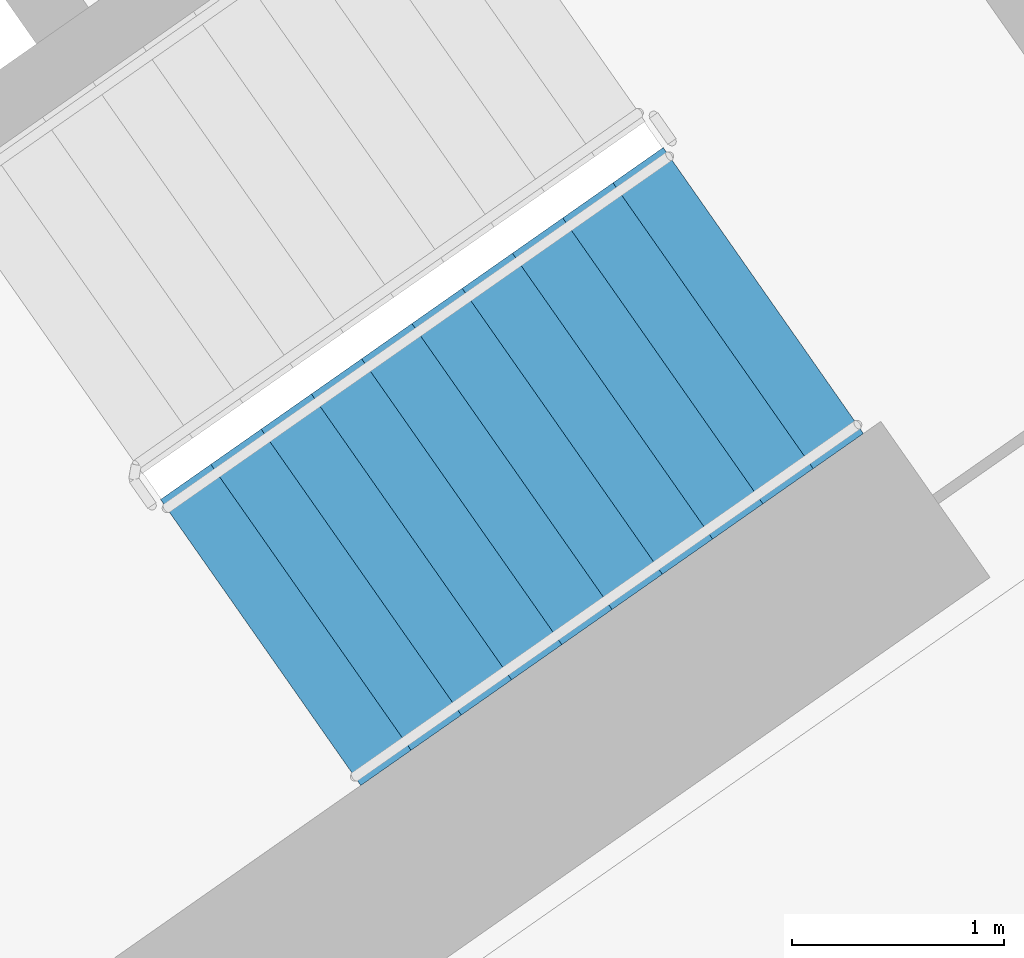
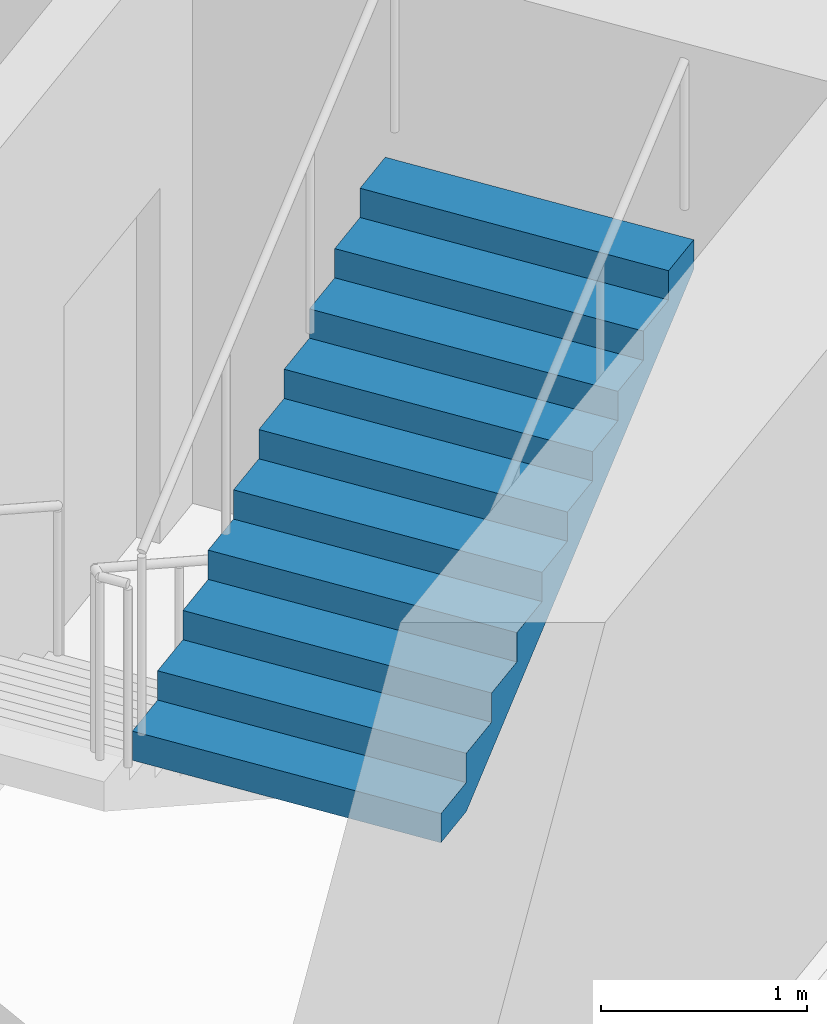
# One storey, part 16 of 33: 1 stair flight, 1 element without a shape of its own.
"""IFC4 building model written with IfcOpenShell, lengths in metres."""

from ifc_helpers import new_model, si_unit, direction, frame, origin, place, context, subcontext, project, spatial, faceted_brep, material, type_object, element, aggregate, save


model = new_model("IFC4")

# Units and contexts
model_context = context("Model", 3, precision=1e-05, world=origin(), true_north=direction((0.0, 1.0)))
body_context = subcontext(model_context, "Body", "Model", "MODEL_VIEW")
ifc_project = project(units=[si_unit("LENGTHUNIT", "METRE"), si_unit("AREAUNIT", "SQUARE_METRE"), si_unit("VOLUMEUNIT", "CUBIC_METRE"), si_unit("PLANEANGLEUNIT", "RADIAN"), si_unit("MASSUNIT", "GRAM", prefix="KILO")], contexts=[model_context])

# Site, building, storey
site_placement = place(None, origin())
site = spatial("IfcSite", under=ifc_project, at=site_placement, CompositionType="ELEMENT")
building_placement = place(site_placement, origin())
building = spatial("IfcBuilding", under=site, at=building_placement, Name="Qamariyya Broadcast Tower", CompositionType="ELEMENT")
storey_placement = place(building_placement, frame((0.0, 0.0, 94.89990234375)))
storey = spatial("IfcBuildingStorey", under=building, at=storey_placement, Name="L20", CompositionType="ELEMENT", Elevation=94.89990234375)

# Stair, stair flight
ifc_material = material(Name="Concrete C50/60", Category="concrete")
stair_type = type_object("IfcStairType", Name="Exit stair 22 risers of 173 mm", PredefinedType="HALF_TURN_STAIR", material=ifc_material)
stair_placement = place(storey_placement, origin())
stair = element("IfcStair", 1, at=stair_placement, inside=storey, type_object=stair_type, Name="L20 Stair E1", PredefinedType="HALF_TURN_STAIR")
stair_flight_type = type_object("IfcStairFlightType", Name="Exit stair flight 11 risers of 173 mm", PredefinedType="STRAIGHT", material=ifc_material)
stair_flight_placement = place(storey_placement, frame((44.693359375, -58.64599609375, 1.900146484375), z_axis=(0.0, 0.0, 1.0), x_axis=(0.819152044289, 0.573576436351, 0.0)))
stair_flight = element("IfcStairFlight", 2, at=stair_flight_placement, type_object=stair_flight_type, Name="ST-E1 flight 2", NumberOfRisers=11, NumberOfTreads=10, PredefinedType="STRAIGHT", RiserHeight=0.172727273, TreadLength=0.29, context=body_context, shape_type="Brep", body=[
    faceted_brep([(0.0, 0.824951171875, 0.0), (0.0, 0.824951171875, 0.172607421875), (0.2900390625, 0.824951171875, 0.172607421875), (0.2900390625, 0.824951171875, 0.345458984375), (0.580078125, 0.824951171875, 0.345458984375), (0.580078125, 0.824951171875, 0.51806640625), (0.8701171875, 0.824951171875, 0.51806640625), (0.8701171875, 0.824951171875, 0.69091796875), (1.159912109375, 0.824951171875, 0.69091796875), (1.159912109375, 0.824951171875, 0.863525390625), (1.449951171875, 0.824951171875, 0.863525390625), (1.449951171875, 0.824951171875, 1.036376953125), (1.739990234375, 0.824951171875, 1.036376953125), (1.739990234375, 0.824951171875, 1.208984375), (2.030029296875, 0.824951171875, 1.208984375), (2.030029296875, 0.824951171875, 1.3818359375), (2.320068359375, 0.824951171875, 1.3818359375), (2.320068359375, 0.824951171875, 1.554443359375), (2.610107421875, 0.824951171875, 1.554443359375), (2.610107421875, 0.824951171875, 1.727294921875), (2.89990234375, 0.824951171875, 1.727294921875), (2.89990234375, 0.824951171875, 1.552734375), (0.29296875, 0.824951171875, 0.0), (0.29296875, -0.824951171875, 0.0), (2.89990234375, -0.824951171875, 1.552734375), (2.89990234375, -0.824951171875, 1.727294921875), (2.610107421875, -0.824951171875, 1.727294921875), (2.610107421875, -0.824951171875, 1.554443359375), (2.320068359375, -0.824951171875, 1.554443359375), (2.320068359375, -0.824951171875, 1.3818359375), (2.030029296875, -0.824951171875, 1.3818359375), (2.030029296875, -0.824951171875, 1.208984375), (1.739990234375, -0.824951171875, 1.208984375), (1.739990234375, -0.824951171875, 1.036376953125), (1.449951171875, -0.824951171875, 1.036376953125), (1.449951171875, -0.824951171875, 0.863525390625), (1.159912109375, -0.824951171875, 0.863525390625), (1.159912109375, -0.824951171875, 0.69091796875), (0.8701171875, -0.824951171875, 0.69091796875), (0.8701171875, -0.824951171875, 0.51806640625), (0.580078125, -0.824951171875, 0.51806640625), (0.580078125, -0.824951171875, 0.345458984375), (0.2900390625, -0.824951171875, 0.345458984375), (0.2900390625, -0.824951171875, 0.172607421875), (0.0, -0.824951171875, 0.172607421875), (0.0, -0.824951171875, 0.0), (0.0, 0.10009765625, 0.0), (0.0, 0.086669921875, 0.0), (0.0, 0.0732421875, 0.0), (0.0, 0.06005859375, 0.0), (0.0, 0.046630859375, 0.0), (0.0, 0.033447265625, 0.0), (0.0, 0.02001953125, 0.0), (0.0, 0.006591796875, 0.0), (0.0, -0.006591796875, 0.0), (0.0, -0.02001953125, 0.0), (0.0, -0.033447265625, 0.0), (0.0, -0.046630859375, 0.0), (0.0, -0.06005859375, 0.0), (0.0, -0.0732421875, 0.0), (0.0, -0.086669921875, 0.0), (0.0, -0.10009765625, 0.0), (0.0, -0.10009765625, 0.172607421875), (0.0, -0.086669921875, 0.172607421875), (0.0, -0.0732421875, 0.172607421875), (0.0, -0.06005859375, 0.172607421875), (0.0, -0.046630859375, 0.172607421875), (0.0, -0.033447265625, 0.172607421875), (0.0, -0.02001953125, 0.172607421875), (0.0, -0.006591796875, 0.172607421875), (0.0, 0.006591796875, 0.172607421875), (0.0, 0.02001953125, 0.172607421875), (0.0, 0.033447265625, 0.172607421875), (0.0, 0.046630859375, 0.172607421875), (0.0, 0.06005859375, 0.172607421875), (0.0, 0.0732421875, 0.172607421875), (0.0, 0.086669921875, 0.172607421875), (0.0, 0.10009765625, 0.172607421875), (0.2900390625, -0.10009765625, 0.172607421875), (0.2900390625, -0.086669921875, 0.172607421875), (0.2900390625, -0.0732421875, 0.172607421875), (0.2900390625, -0.06005859375, 0.172607421875), (0.2900390625, -0.046630859375, 0.172607421875), (0.2900390625, -0.033447265625, 0.172607421875), (0.2900390625, -0.02001953125, 0.172607421875), (0.2900390625, -0.006591796875, 0.172607421875), (0.2900390625, 0.006591796875, 0.172607421875), (0.2900390625, 0.02001953125, 0.172607421875), (0.2900390625, 0.033447265625, 0.172607421875), (0.2900390625, 0.046630859375, 0.172607421875), (0.2900390625, 0.06005859375, 0.172607421875), (0.2900390625, 0.0732421875, 0.172607421875), (0.2900390625, 0.086669921875, 0.172607421875), (0.2900390625, 0.10009765625, 0.172607421875), (0.2900390625, -0.10009765625, 0.345458984375), (0.2900390625, -0.086669921875, 0.345458984375), (0.2900390625, -0.0732421875, 0.345458984375), (0.2900390625, -0.06005859375, 0.345458984375), (0.2900390625, -0.046630859375, 0.345458984375), (0.2900390625, -0.033447265625, 0.345458984375), (0.2900390625, -0.02001953125, 0.345458984375), (0.2900390625, -0.006591796875, 0.345458984375), (0.2900390625, 0.006591796875, 0.345458984375), (0.2900390625, 0.02001953125, 0.345458984375), (0.2900390625, 0.033447265625, 0.345458984375), (0.2900390625, 0.046630859375, 0.345458984375), (0.2900390625, 0.06005859375, 0.345458984375), (0.2900390625, 0.0732421875, 0.345458984375), (0.2900390625, 0.086669921875, 0.345458984375), (0.2900390625, 0.10009765625, 0.345458984375), (0.580078125, -0.10009765625, 0.345458984375), (0.580078125, -0.086669921875, 0.345458984375), (0.580078125, -0.0732421875, 0.345458984375), (0.580078125, -0.06005859375, 0.345458984375), (0.580078125, -0.046630859375, 0.345458984375), (0.580078125, -0.033447265625, 0.345458984375), (0.580078125, -0.02001953125, 0.345458984375), (0.580078125, -0.006591796875, 0.345458984375), (0.580078125, 0.006591796875, 0.345458984375), (0.580078125, 0.02001953125, 0.345458984375), (0.580078125, 0.033447265625, 0.345458984375), (0.580078125, 0.046630859375, 0.345458984375), (0.580078125, 0.06005859375, 0.345458984375), (0.580078125, 0.0732421875, 0.345458984375), (0.580078125, 0.086669921875, 0.345458984375), (0.580078125, 0.10009765625, 0.345458984375), (0.580078125, -0.10009765625, 0.51806640625), (0.580078125, -0.086669921875, 0.51806640625), (0.580078125, -0.0732421875, 0.51806640625), (0.580078125, -0.06005859375, 0.51806640625), (0.580078125, -0.046630859375, 0.51806640625), (0.580078125, -0.033447265625, 0.51806640625), (0.580078125, -0.02001953125, 0.51806640625), (0.580078125, -0.006591796875, 0.51806640625), (0.580078125, 0.006591796875, 0.51806640625), (0.580078125, 0.02001953125, 0.51806640625), (0.580078125, 0.033447265625, 0.51806640625), (0.580078125, 0.046630859375, 0.51806640625), (0.580078125, 0.06005859375, 0.51806640625), (0.580078125, 0.0732421875, 0.51806640625), (0.580078125, 0.086669921875, 0.51806640625), (0.580078125, 0.10009765625, 0.51806640625), (0.8701171875, -0.10009765625, 0.51806640625), (0.8701171875, -0.086669921875, 0.51806640625), (0.8701171875, -0.0732421875, 0.51806640625), (0.8701171875, -0.06005859375, 0.51806640625), (0.8701171875, -0.046630859375, 0.51806640625), (0.8701171875, -0.033447265625, 0.51806640625), (0.8701171875, -0.02001953125, 0.51806640625), (0.8701171875, -0.006591796875, 0.51806640625), (0.8701171875, 0.006591796875, 0.51806640625), (0.8701171875, 0.02001953125, 0.51806640625), (0.8701171875, 0.033447265625, 0.51806640625), (0.8701171875, 0.046630859375, 0.51806640625), (0.8701171875, 0.06005859375, 0.51806640625), (0.8701171875, 0.0732421875, 0.51806640625), (0.8701171875, 0.086669921875, 0.51806640625), (0.8701171875, 0.10009765625, 0.51806640625), (0.8701171875, -0.10009765625, 0.69091796875), (0.8701171875, -0.086669921875, 0.69091796875), (0.8701171875, -0.0732421875, 0.69091796875), (0.8701171875, -0.06005859375, 0.69091796875), (0.8701171875, -0.046630859375, 0.69091796875), (0.8701171875, -0.033447265625, 0.69091796875), (0.8701171875, -0.02001953125, 0.69091796875), (0.8701171875, -0.006591796875, 0.69091796875), (0.8701171875, 0.006591796875, 0.69091796875), (0.8701171875, 0.02001953125, 0.69091796875), (0.8701171875, 0.033447265625, 0.69091796875), (0.8701171875, 0.046630859375, 0.69091796875), (0.8701171875, 0.06005859375, 0.69091796875), (0.8701171875, 0.0732421875, 0.69091796875), (0.8701171875, 0.086669921875, 0.69091796875), (0.8701171875, 0.10009765625, 0.69091796875), (1.159912109375, -0.10009765625, 0.69091796875), (1.159912109375, -0.086669921875, 0.69091796875), (1.159912109375, -0.0732421875, 0.69091796875), (1.159912109375, -0.06005859375, 0.69091796875), (1.159912109375, -0.046630859375, 0.69091796875), (1.159912109375, -0.033447265625, 0.69091796875), (1.159912109375, -0.02001953125, 0.69091796875), (1.159912109375, -0.006591796875, 0.69091796875), (1.159912109375, 0.006591796875, 0.69091796875), (1.159912109375, 0.02001953125, 0.69091796875), (1.159912109375, 0.033447265625, 0.69091796875), (1.159912109375, 0.046630859375, 0.69091796875), (1.159912109375, 0.06005859375, 0.69091796875), (1.159912109375, 0.0732421875, 0.69091796875), (1.159912109375, 0.086669921875, 0.69091796875), (1.159912109375, 0.10009765625, 0.69091796875), (1.159912109375, -0.10009765625, 0.863525390625), (1.159912109375, -0.086669921875, 0.863525390625), (1.159912109375, -0.0732421875, 0.863525390625), (1.159912109375, -0.06005859375, 0.863525390625), (1.159912109375, -0.046630859375, 0.863525390625), (1.159912109375, -0.033447265625, 0.863525390625), (1.159912109375, -0.02001953125, 0.863525390625), (1.159912109375, -0.006591796875, 0.863525390625), (1.159912109375, 0.006591796875, 0.863525390625), (1.159912109375, 0.02001953125, 0.863525390625), (1.159912109375, 0.033447265625, 0.863525390625), (1.159912109375, 0.046630859375, 0.863525390625), (1.159912109375, 0.06005859375, 0.863525390625), (1.159912109375, 0.0732421875, 0.863525390625), (1.159912109375, 0.086669921875, 0.863525390625), (1.159912109375, 0.10009765625, 0.863525390625), (1.449951171875, -0.10009765625, 0.863525390625), (1.449951171875, -0.086669921875, 0.863525390625), (1.449951171875, -0.0732421875, 0.863525390625), (1.449951171875, -0.06005859375, 0.863525390625), (1.449951171875, -0.046630859375, 0.863525390625), (1.449951171875, -0.033447265625, 0.863525390625), (1.449951171875, -0.02001953125, 0.863525390625), (1.449951171875, -0.006591796875, 0.863525390625), (1.449951171875, 0.006591796875, 0.863525390625), (1.449951171875, 0.02001953125, 0.863525390625), (1.449951171875, 0.033447265625, 0.863525390625), (1.449951171875, 0.046630859375, 0.863525390625), (1.449951171875, 0.06005859375, 0.863525390625), (1.449951171875, 0.0732421875, 0.863525390625), (1.449951171875, 0.086669921875, 0.863525390625), (1.449951171875, 0.10009765625, 0.863525390625), (1.449951171875, -0.10009765625, 1.036376953125), (1.449951171875, -0.086669921875, 1.036376953125), (1.449951171875, -0.0732421875, 1.036376953125), (1.449951171875, -0.06005859375, 1.036376953125), (1.449951171875, -0.046630859375, 1.036376953125), (1.449951171875, -0.033447265625, 1.036376953125), (1.449951171875, -0.02001953125, 1.036376953125), (1.449951171875, -0.006591796875, 1.036376953125), (1.449951171875, 0.006591796875, 1.036376953125), (1.449951171875, 0.02001953125, 1.036376953125), (1.449951171875, 0.033447265625, 1.036376953125), (1.449951171875, 0.046630859375, 1.036376953125), (1.449951171875, 0.06005859375, 1.036376953125), (1.449951171875, 0.0732421875, 1.036376953125), (1.449951171875, 0.086669921875, 1.036376953125), (1.449951171875, 0.10009765625, 1.036376953125), (1.739990234375, -0.10009765625, 1.036376953125), (1.739990234375, -0.086669921875, 1.036376953125), (1.739990234375, -0.0732421875, 1.036376953125), (1.739990234375, -0.06005859375, 1.036376953125), (1.739990234375, -0.046630859375, 1.036376953125), (1.739990234375, -0.033447265625, 1.036376953125), (1.739990234375, -0.02001953125, 1.036376953125), (1.739990234375, -0.006591796875, 1.036376953125), (1.739990234375, 0.006591796875, 1.036376953125), (1.739990234375, 0.02001953125, 1.036376953125), (1.739990234375, 0.033447265625, 1.036376953125), (1.739990234375, 0.046630859375, 1.036376953125), (1.739990234375, 0.06005859375, 1.036376953125), (1.739990234375, 0.0732421875, 1.036376953125), (1.739990234375, 0.086669921875, 1.036376953125), (1.739990234375, 0.10009765625, 1.036376953125), (1.739990234375, -0.10009765625, 1.208984375), (1.739990234375, -0.086669921875, 1.208984375), (1.739990234375, -0.0732421875, 1.208984375), (1.739990234375, -0.06005859375, 1.208984375), (1.739990234375, -0.046630859375, 1.208984375), (1.739990234375, -0.033447265625, 1.208984375), (1.739990234375, -0.02001953125, 1.208984375), (1.739990234375, -0.006591796875, 1.208984375), (1.739990234375, 0.006591796875, 1.208984375), (1.739990234375, 0.02001953125, 1.208984375), (1.739990234375, 0.033447265625, 1.208984375), (1.739990234375, 0.046630859375, 1.208984375), (1.739990234375, 0.06005859375, 1.208984375), (1.739990234375, 0.0732421875, 1.208984375), (1.739990234375, 0.086669921875, 1.208984375), (1.739990234375, 0.10009765625, 1.208984375), (2.030029296875, -0.10009765625, 1.208984375), (2.030029296875, -0.086669921875, 1.208984375), (2.030029296875, -0.0732421875, 1.208984375), (2.030029296875, -0.06005859375, 1.208984375), (2.030029296875, -0.046630859375, 1.208984375), (2.030029296875, -0.033447265625, 1.208984375), (2.030029296875, -0.02001953125, 1.208984375), (2.030029296875, -0.006591796875, 1.208984375), (2.030029296875, 0.006591796875, 1.208984375), (2.030029296875, 0.02001953125, 1.208984375), (2.030029296875, 0.033447265625, 1.208984375), (2.030029296875, 0.046630859375, 1.208984375), (2.030029296875, 0.06005859375, 1.208984375), (2.030029296875, 0.0732421875, 1.208984375), (2.030029296875, 0.086669921875, 1.208984375), (2.030029296875, 0.10009765625, 1.208984375), (2.030029296875, -0.10009765625, 1.3818359375), (2.030029296875, -0.086669921875, 1.3818359375), (2.030029296875, -0.0732421875, 1.3818359375), (2.030029296875, -0.06005859375, 1.3818359375), (2.030029296875, -0.046630859375, 1.3818359375), (2.030029296875, -0.033447265625, 1.3818359375), (2.030029296875, -0.02001953125, 1.3818359375), (2.030029296875, -0.006591796875, 1.3818359375), (2.030029296875, 0.006591796875, 1.3818359375), (2.030029296875, 0.02001953125, 1.3818359375), (2.030029296875, 0.033447265625, 1.3818359375), (2.030029296875, 0.046630859375, 1.3818359375), (2.030029296875, 0.06005859375, 1.3818359375), (2.030029296875, 0.0732421875, 1.3818359375), (2.030029296875, 0.086669921875, 1.3818359375), (2.030029296875, 0.10009765625, 1.3818359375), (2.320068359375, -0.10009765625, 1.3818359375), (2.320068359375, -0.086669921875, 1.3818359375), (2.320068359375, -0.0732421875, 1.3818359375), (2.320068359375, -0.06005859375, 1.3818359375), (2.320068359375, -0.046630859375, 1.3818359375), (2.320068359375, -0.033447265625, 1.3818359375), (2.320068359375, -0.02001953125, 1.3818359375), (2.320068359375, -0.006591796875, 1.3818359375), (2.320068359375, 0.006591796875, 1.3818359375), (2.320068359375, 0.02001953125, 1.3818359375), (2.320068359375, 0.033447265625, 1.3818359375), (2.320068359375, 0.046630859375, 1.3818359375), (2.320068359375, 0.06005859375, 1.3818359375), (2.320068359375, 0.0732421875, 1.3818359375), (2.320068359375, 0.086669921875, 1.3818359375), (2.320068359375, 0.10009765625, 1.3818359375), (2.320068359375, -0.10009765625, 1.554443359375), (2.320068359375, -0.086669921875, 1.554443359375), (2.320068359375, -0.0732421875, 1.554443359375), (2.320068359375, -0.06005859375, 1.554443359375), (2.320068359375, -0.046630859375, 1.554443359375), (2.320068359375, -0.033447265625, 1.554443359375), (2.320068359375, -0.02001953125, 1.554443359375), (2.320068359375, -0.006591796875, 1.554443359375), (2.320068359375, 0.006591796875, 1.554443359375), (2.320068359375, 0.02001953125, 1.554443359375), (2.320068359375, 0.033447265625, 1.554443359375), (2.320068359375, 0.046630859375, 1.554443359375), (2.320068359375, 0.06005859375, 1.554443359375), (2.320068359375, 0.0732421875, 1.554443359375), (2.320068359375, 0.086669921875, 1.554443359375), (2.320068359375, 0.10009765625, 1.554443359375), (2.610107421875, -0.10009765625, 1.554443359375), (2.610107421875, -0.086669921875, 1.554443359375), (2.610107421875, -0.0732421875, 1.554443359375), (2.610107421875, -0.06005859375, 1.554443359375), (2.610107421875, -0.046630859375, 1.554443359375), (2.610107421875, -0.033447265625, 1.554443359375), (2.610107421875, -0.02001953125, 1.554443359375), (2.610107421875, -0.006591796875, 1.554443359375), (2.610107421875, 0.006591796875, 1.554443359375), (2.610107421875, 0.02001953125, 1.554443359375), (2.610107421875, 0.033447265625, 1.554443359375), (2.610107421875, 0.046630859375, 1.554443359375), (2.610107421875, 0.06005859375, 1.554443359375), (2.610107421875, 0.0732421875, 1.554443359375), (2.610107421875, 0.086669921875, 1.554443359375), (2.610107421875, 0.10009765625, 1.554443359375), (2.610107421875, -0.10009765625, 1.727294921875), (2.610107421875, -0.086669921875, 1.727294921875), (2.610107421875, -0.0732421875, 1.727294921875), (2.610107421875, -0.06005859375, 1.727294921875), (2.610107421875, -0.046630859375, 1.727294921875), (2.610107421875, -0.033447265625, 1.727294921875), (2.610107421875, -0.02001953125, 1.727294921875), (2.610107421875, -0.006591796875, 1.727294921875), (2.610107421875, 0.006591796875, 1.727294921875), (2.610107421875, 0.02001953125, 1.727294921875), (2.610107421875, 0.033447265625, 1.727294921875), (2.610107421875, 0.046630859375, 1.727294921875), (2.610107421875, 0.06005859375, 1.727294921875), (2.610107421875, 0.0732421875, 1.727294921875), (2.610107421875, 0.086669921875, 1.727294921875), (2.610107421875, 0.10009765625, 1.727294921875), (2.89990234375, -0.10009765625, 1.727294921875), (2.89990234375, -0.086669921875, 1.727294921875), (2.89990234375, -0.0732421875, 1.727294921875), (2.89990234375, -0.06005859375, 1.727294921875), (2.89990234375, -0.046630859375, 1.727294921875), (2.89990234375, -0.033447265625, 1.727294921875), (2.89990234375, -0.02001953125, 1.727294921875), (2.89990234375, -0.006591796875, 1.727294921875), (2.89990234375, 0.006591796875, 1.727294921875), (2.89990234375, 0.02001953125, 1.727294921875), (2.89990234375, 0.033447265625, 1.727294921875), (2.89990234375, 0.046630859375, 1.727294921875), (2.89990234375, 0.06005859375, 1.727294921875), (2.89990234375, 0.0732421875, 1.727294921875), (2.89990234375, 0.086669921875, 1.727294921875), (2.89990234375, 0.10009765625, 1.727294921875), (2.89990234375, -0.10009765625, 1.552734375), (2.89990234375, -0.086669921875, 1.552734375), (2.89990234375, -0.0732421875, 1.552734375), (2.89990234375, -0.06005859375, 1.552734375), (2.89990234375, -0.046630859375, 1.552734375), (2.89990234375, -0.033447265625, 1.552734375), (2.89990234375, -0.02001953125, 1.552734375), (2.89990234375, -0.006591796875, 1.552734375), (2.89990234375, 0.006591796875, 1.552734375), (2.89990234375, 0.02001953125, 1.552734375), (2.89990234375, 0.033447265625, 1.552734375), (2.89990234375, 0.046630859375, 1.552734375), (2.89990234375, 0.06005859375, 1.552734375), (2.89990234375, 0.0732421875, 1.552734375), (2.89990234375, 0.086669921875, 1.552734375), (2.89990234375, 0.10009765625, 1.552734375), (0.29296875, -0.10009765625, 0.0), (0.29296875, -0.086669921875, 0.0), (0.29296875, -0.0732421875, 0.0), (0.29296875, -0.06005859375, 0.0), (0.29296875, -0.046630859375, 0.0), (0.29296875, -0.033447265625, 0.0), (0.29296875, -0.02001953125, 0.0), (0.29296875, -0.006591796875, 0.0), (0.29296875, 0.006591796875, 0.0), (0.29296875, 0.02001953125, 0.0), (0.29296875, 0.033447265625, 0.0), (0.29296875, 0.046630859375, 0.0), (0.29296875, 0.06005859375, 0.0), (0.29296875, 0.0732421875, 0.0), (0.29296875, 0.086669921875, 0.0), (0.29296875, 0.10009765625, 0.0)], [[[0, 1, 2, 3, 4, 5, 6, 7, 8, 9, 10, 11, 12, 13, 14, 15, 16, 17, 18, 19, 20, 21, 22]], [[23, 24, 25, 26, 27, 28, 29, 30, 31, 32, 33, 34, 35, 36, 37, 38, 39, 40, 41, 42, 43, 44, 45]], [[0, 46, 47, 48, 49, 50, 51, 52, 53, 54, 55, 56, 57, 58, 59, 60, 61, 45, 44, 62, 63, 64, 65, 66, 67, 68, 69, 70, 71, 72, 73, 74, 75, 76, 77, 1]], [[1, 77, 76, 75, 74, 73, 72, 71, 70, 69, 68, 67, 66, 65, 64, 63, 62, 44, 43, 78, 79, 80, 81, 82, 83, 84, 85, 86, 87, 88, 89, 90, 91, 92, 93, 2]], [[2, 93, 92, 91, 90, 89, 88, 87, 86, 85, 84, 83, 82, 81, 80, 79, 78, 43, 42, 94, 95, 96, 97, 98, 99, 100, 101, 102, 103, 104, 105, 106, 107, 108, 109, 3]], [[3, 109, 108, 107, 106, 105, 104, 103, 102, 101, 100, 99, 98, 97, 96, 95, 94, 42, 41, 110, 111, 112, 113, 114, 115, 116, 117, 118, 119, 120, 121, 122, 123, 124, 125, 4]], [[4, 125, 124, 123, 122, 121, 120, 119, 118, 117, 116, 115, 114, 113, 112, 111, 110, 41, 40, 126, 127, 128, 129, 130, 131, 132, 133, 134, 135, 136, 137, 138, 139, 140, 141, 5]], [[5, 141, 140, 139, 138, 137, 136, 135, 134, 133, 132, 131, 130, 129, 128, 127, 126, 40, 39, 142, 143, 144, 145, 146, 147, 148, 149, 150, 151, 152, 153, 154, 155, 156, 157, 6]], [[6, 157, 156, 155, 154, 153, 152, 151, 150, 149, 148, 147, 146, 145, 144, 143, 142, 39, 38, 158, 159, 160, 161, 162, 163, 164, 165, 166, 167, 168, 169, 170, 171, 172, 173, 7]], [[7, 173, 172, 171, 170, 169, 168, 167, 166, 165, 164, 163, 162, 161, 160, 159, 158, 38, 37, 174, 175, 176, 177, 178, 179, 180, 181, 182, 183, 184, 185, 186, 187, 188, 189, 8]], [[8, 189, 188, 187, 186, 185, 184, 183, 182, 181, 180, 179, 178, 177, 176, 175, 174, 37, 36, 190, 191, 192, 193, 194, 195, 196, 197, 198, 199, 200, 201, 202, 203, 204, 205, 9]], [[9, 205, 204, 203, 202, 201, 200, 199, 198, 197, 196, 195, 194, 193, 192, 191, 190, 36, 35, 206, 207, 208, 209, 210, 211, 212, 213, 214, 215, 216, 217, 218, 219, 220, 221, 10]], [[10, 221, 220, 219, 218, 217, 216, 215, 214, 213, 212, 211, 210, 209, 208, 207, 206, 35, 34, 222, 223, 224, 225, 226, 227, 228, 229, 230, 231, 232, 233, 234, 235, 236, 237, 11]], [[11, 237, 236, 235, 234, 233, 232, 231, 230, 229, 228, 227, 226, 225, 224, 223, 222, 34, 33, 238, 239, 240, 241, 242, 243, 244, 245, 246, 247, 248, 249, 250, 251, 252, 253, 12]], [[12, 253, 252, 251, 250, 249, 248, 247, 246, 245, 244, 243, 242, 241, 240, 239, 238, 33, 32, 254, 255, 256, 257, 258, 259, 260, 261, 262, 263, 264, 265, 266, 267, 268, 269, 13]], [[13, 269, 268, 267, 266, 265, 264, 263, 262, 261, 260, 259, 258, 257, 256, 255, 254, 32, 31, 270, 271, 272, 273, 274, 275, 276, 277, 278, 279, 280, 281, 282, 283, 284, 285, 14]], [[14, 285, 284, 283, 282, 281, 280, 279, 278, 277, 276, 275, 274, 273, 272, 271, 270, 31, 30, 286, 287, 288, 289, 290, 291, 292, 293, 294, 295, 296, 297, 298, 299, 300, 301, 15]], [[15, 301, 300, 299, 298, 297, 296, 295, 294, 293, 292, 291, 290, 289, 288, 287, 286, 30, 29, 302, 303, 304, 305, 306, 307, 308, 309, 310, 311, 312, 313, 314, 315, 316, 317, 16]], [[16, 317, 316, 315, 314, 313, 312, 311, 310, 309, 308, 307, 306, 305, 304, 303, 302, 29, 28, 318, 319, 320, 321, 322, 323, 324, 325, 326, 327, 328, 329, 330, 331, 332, 333, 17]], [[17, 333, 332, 331, 330, 329, 328, 327, 326, 325, 324, 323, 322, 321, 320, 319, 318, 28, 27, 334, 335, 336, 337, 338, 339, 340, 341, 342, 343, 344, 345, 346, 347, 348, 349, 18]], [[18, 349, 348, 347, 346, 345, 344, 343, 342, 341, 340, 339, 338, 337, 336, 335, 334, 27, 26, 350, 351, 352, 353, 354, 355, 356, 357, 358, 359, 360, 361, 362, 363, 364, 365, 19]], [[19, 365, 364, 363, 362, 361, 360, 359, 358, 357, 356, 355, 354, 353, 352, 351, 350, 26, 25, 366, 367, 368, 369, 370, 371, 372, 373, 374, 375, 376, 377, 378, 379, 380, 381, 20]], [[20, 381, 380, 379, 378, 377, 376, 375, 374, 373, 372, 371, 370, 369, 368, 367, 366, 25, 24, 382, 383, 384, 385, 386, 387, 388, 389, 390, 391, 392, 393, 394, 395, 396, 397, 21]], [[21, 397, 396, 395, 394, 393, 392, 391, 390, 389, 388, 387, 386, 385, 384, 383, 382, 24, 23, 398, 399, 400, 401, 402, 403, 404, 405, 406, 407, 408, 409, 410, 411, 412, 413, 22]], [[22, 413, 412, 411, 410, 409, 408, 407, 406, 405, 404, 403, 402, 401, 400, 399, 398, 23, 45, 61, 60, 59, 58, 57, 56, 55, 54, 53, 52, 51, 50, 49, 48, 47, 46, 0]]]),
])
aggregate(stair, [stair_flight])

save(model, "model.ifc")
